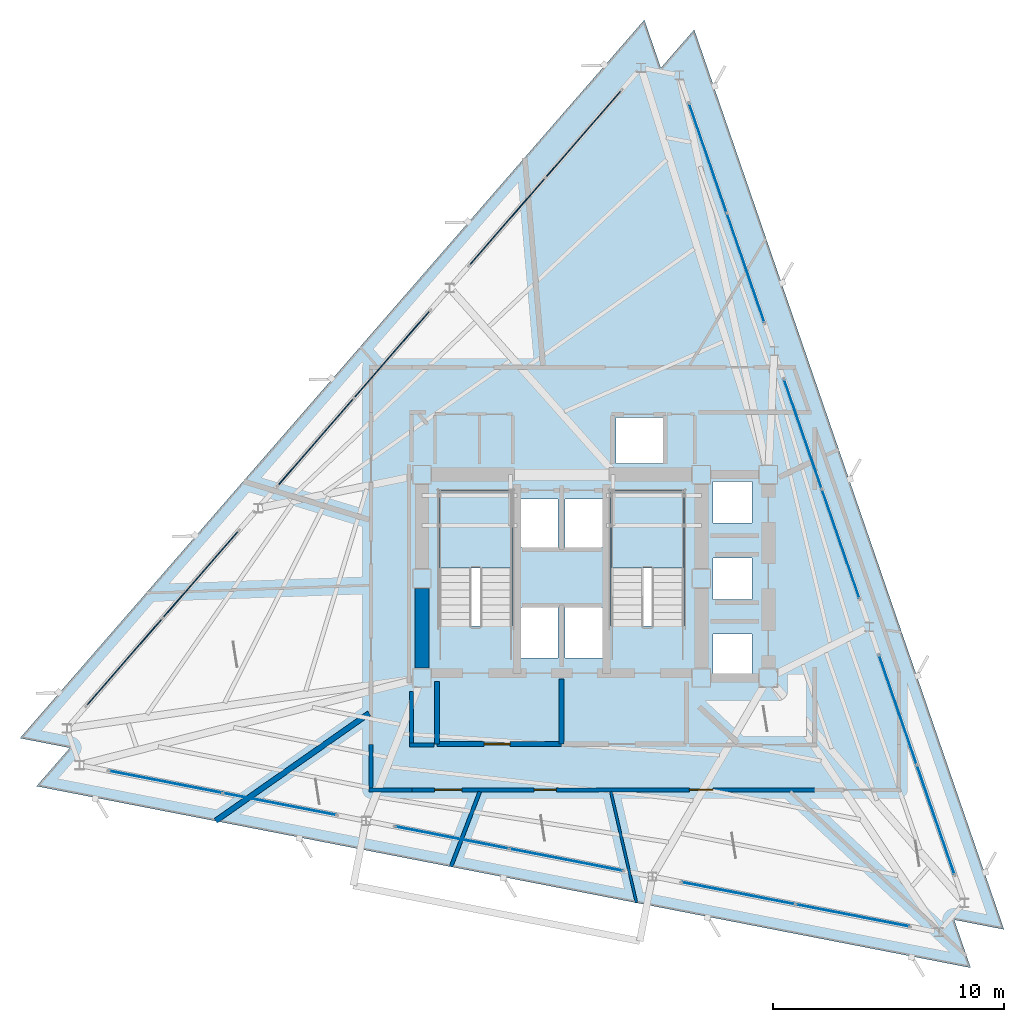
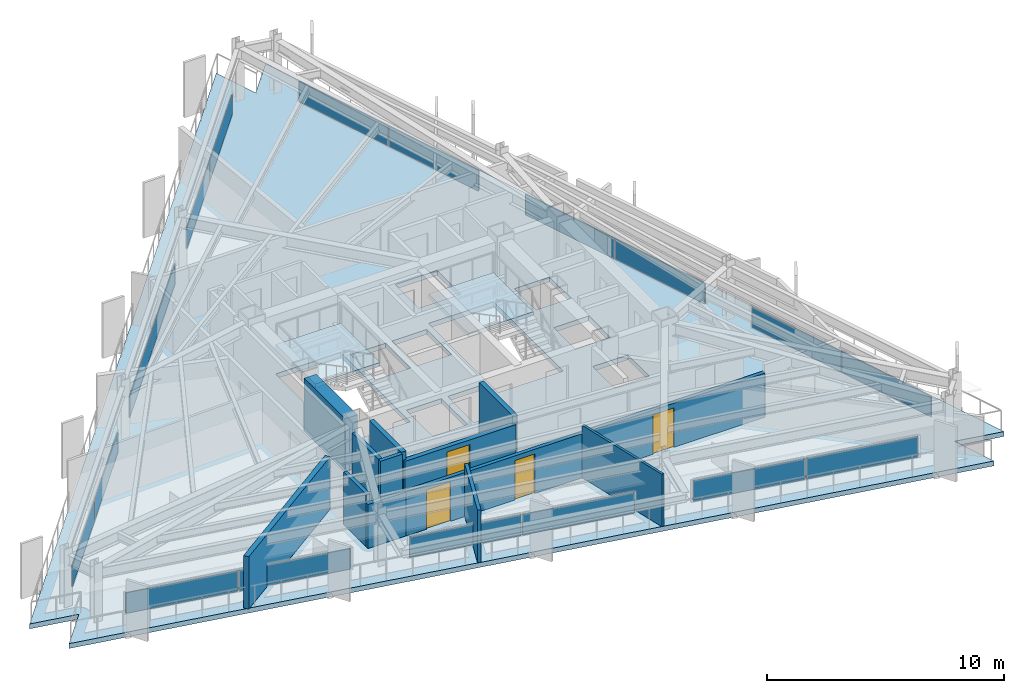
# One storey, part 8 of 14: 18 plates, 12 walls, 4 doors, 3 slabs, 4 openings, 11 elements without a shape of their own.
"""IFC4 building model written with IfcOpenShell, lengths in metres."""

from ifc_helpers import new_model, si_unit, direction, frame, frame_2d, origin, origin_2d, place, context, subcontext, project, spatial, polyline, rectangle, outline, extrude, material, layer, layer_set, type_object, element, fill, aggregate, save


model = new_model("IFC4")

# Units and contexts
model_context = context("Model", 3, precision=1e-05, world=origin(), true_north=direction((0.0, 1.0)))
body_context = subcontext(model_context, "Body", "Model", "MODEL_VIEW")
ifc_project = project(units=[si_unit("LENGTHUNIT", "METRE"), si_unit("AREAUNIT", "SQUARE_METRE"), si_unit("VOLUMEUNIT", "CUBIC_METRE"), si_unit("PLANEANGLEUNIT", "RADIAN"), si_unit("MASSUNIT", "GRAM", prefix="KILO")], contexts=[model_context])

# Site, building, storey
site_placement = place(None, origin())
site = spatial("IfcSite", under=ifc_project, at=site_placement, CompositionType="ELEMENT")
building_placement = place(site_placement, origin())
building = spatial("IfcBuilding", under=site, at=building_placement, Name="Rocaltana Carrier Exchange", CompositionType="ELEMENT")
storey_placement = place(building_placement, frame((0.0, 0.0, 168.47998046875)))
storey = spatial("IfcBuildingStorey", under=building, at=storey_placement, Name="L53", CompositionType="ELEMENT", Elevation=168.47998046875)

# Curtain wall, plates
ifc_material_1 = material(Name="Aluminium 6063-T6", Category="aluminium")
ifc_layer_1 = layer(ifc_material_1, 0.135009765625)
ifc_layer_set_1 = layer_set([ifc_layer_1], Name="Aluminium 6063-T6")
curtain_wall_type = type_object("IfcCurtainWallType", Name="Upper-Mid Acoustic Curtain Wall CW-04", PredefinedType="NOTDEFINED", material=ifc_layer_set_1)
curtain_wall_1_placement = place(storey_placement, origin())
curtain_wall_1 = element("IfcCurtainWall", 1, at=curtain_wall_1_placement, inside=storey, type_object=curtain_wall_type, Name="L53 CW-04 Run CW-L53-F1S1", PredefinedType="NOTDEFINED")
ifc_material_2 = material(Name="Tempered Laminated Glass", Category="glass")
ifc_layer_2 = layer(ifc_material_2, 0.0380859375)
ifc_layer_set_2 = layer_set([ifc_layer_2], Name="Tempered Laminated Glass")
plate_type = type_object("IfcPlateType", Name="CW-04 Stone-Insulated Vision Panel", PredefinedType="CURTAIN_PANEL", material=ifc_layer_set_2)
plate_1_placement = place(storey_placement, frame((16.197021484375, -10.4462890625, 0.06494140625), z_axis=(0.0, 0.0, 1.0), x_axis=(-0.325558788464, 0.945521800517, 0.0)))
plate_1 = element("IfcPlate", 2, at=plate_1_placement, type_object=plate_type, Name="CW-04 panel 1.1", PredefinedType="CURTAIN_PANEL", context=body_context, shape_type="SweptSolid", body=[
    extrude(rectangle(XDim=4.96923828125, YDim=0.0380859375, at=origin_2d()), origin(), (0.0, 0.0, 1.0), 1.048095703125),
])
plate_2_placement = place(storey_placement, frame((14.55810546875, -5.686279296875, 0.06494140625), z_axis=(0.0, 0.0, 1.0), x_axis=(-0.325558788464, 0.945521800517, 0.0)))
plate_2 = element("IfcPlate", 3, at=plate_2_placement, type_object=plate_type, Name="CW-04 panel 2.1", PredefinedType="CURTAIN_PANEL", context=body_context, shape_type="SweptSolid", body=[
    extrude(rectangle(XDim=4.96923828125, YDim=0.0380859375, at=origin_2d()), origin(), (0.0, 0.0, 1.0), 1.048095703125),
])
aggregate(curtain_wall_1, [plate_1, plate_2])

curtain_wall_2_placement = place(storey_placement, origin())
curtain_wall_2 = element("IfcCurtainWall", 4, at=curtain_wall_2_placement, inside=storey, type_object=curtain_wall_type, Name="L53 CW-04 Run CW-L53-F1S2", PredefinedType="NOTDEFINED")
plate_3_placement = place(storey_placement, frame((12.083984375, 1.498779296875, 0.06494140625), z_axis=(0.0, 0.0, 1.0), x_axis=(-0.32556182622, 0.945520754562, 0.0)))
plate_3 = element("IfcPlate", 5, at=plate_3_placement, type_object=plate_type, Name="CW-04 panel 1.1", PredefinedType="CURTAIN_PANEL", context=body_context, shape_type="SweptSolid", body=[
    extrude(rectangle(XDim=4.96923828125, YDim=0.0380859375, at=origin_2d()), origin(), (0.0, 0.0, 1.0), 1.048095703125),
])
plate_4_placement = place(storey_placement, frame((10.445068359375, 6.258544921875, 0.06494140625), z_axis=(0.0, 0.0, 1.0), x_axis=(-0.32556182622, 0.945520754562, 0.0)))
plate_4 = element("IfcPlate", 6, at=plate_4_placement, type_object=plate_type, Name="CW-04 panel 2.1", PredefinedType="CURTAIN_PANEL", context=body_context, shape_type="SweptSolid", body=[
    extrude(rectangle(XDim=4.96923828125, YDim=0.0380859375, at=origin_2d()), origin(), (0.0, 0.0, 1.0), 1.048095703125),
])
aggregate(curtain_wall_2, [plate_3, plate_4])

curtain_wall_3_placement = place(storey_placement, origin())
curtain_wall_3 = element("IfcCurtainWall", 7, at=curtain_wall_3_placement, inside=storey, type_object=curtain_wall_type, Name="L53 CW-04 Run CW-L53-F1S3", PredefinedType="NOTDEFINED")
plate_5_placement = place(storey_placement, frame((7.970947265625, 13.44384765625, 0.06494140625), z_axis=(0.0, 0.0, 1.0), x_axis=(-0.325558788464, 0.945521800517, 0.0)))
plate_5 = element("IfcPlate", 8, at=plate_5_placement, type_object=plate_type, Name="CW-04 panel 1.1", PredefinedType="CURTAIN_PANEL", context=body_context, shape_type="SweptSolid", body=[
    extrude(rectangle(XDim=4.96923828125, YDim=0.0380859375, at=origin_2d()), origin(), (0.0, 0.0, 1.0), 1.048095703125),
])
plate_6_placement = place(storey_placement, frame((6.33203125, 18.20361328125, 0.06494140625), z_axis=(0.0, 0.0, 1.0), x_axis=(-0.325558788464, 0.945521800517, 0.0)))
plate_6 = element("IfcPlate", 9, at=plate_6_placement, type_object=plate_type, Name="CW-04 panel 2.1", PredefinedType="CURTAIN_PANEL", context=body_context, shape_type="SweptSolid", body=[
    extrude(rectangle(XDim=4.96923828125, YDim=0.0380859375, at=origin_2d()), origin(), (0.0, 0.0, 1.0), 1.048095703125),
])
aggregate(curtain_wall_3, [plate_5, plate_6])

curtain_wall_4_placement = place(storey_placement, origin())
curtain_wall_4 = element("IfcCurtainWall", 10, at=curtain_wall_4_placement, inside=storey, type_object=curtain_wall_type, Name="L53 CW-04 Run CW-L53-F2S1", PredefinedType="NOTDEFINED")
plate_7_placement = place(storey_placement, frame((0.9482421875, 19.250244140625, 0.06494140625), z_axis=(0.0, 0.0, 1.0), x_axis=(-0.656056545375, -0.75471173919, 0.0)))
plate_7 = element("IfcPlate", 11, at=plate_7_placement, type_object=plate_type, Name="CW-04 panel 1.1", PredefinedType="CURTAIN_PANEL", context=body_context, shape_type="SweptSolid", body=[
    extrude(rectangle(XDim=4.96923828125, YDim=0.0380859375, at=origin_2d()), origin(), (0.0, 0.0, 1.0), 1.048095703125),
])
plate_8_placement = place(storey_placement, frame((-2.3544921875, 15.450927734375, 0.06494140625), z_axis=(0.0, 0.0, 1.0), x_axis=(-0.656056545375, -0.75471173919, 0.0)))
plate_8 = element("IfcPlate", 12, at=plate_8_placement, type_object=plate_type, Name="CW-04 panel 2.1", PredefinedType="CURTAIN_PANEL", context=body_context, shape_type="SweptSolid", body=[
    extrude(rectangle(XDim=4.96923828125, YDim=0.0380859375, at=origin_2d()), origin(), (0.0, 0.0, 1.0), 1.048095703125),
])
aggregate(curtain_wall_4, [plate_7, plate_8])

curtain_wall_5_placement = place(storey_placement, origin())
curtain_wall_5 = element("IfcCurtainWall", 13, at=curtain_wall_5_placement, inside=storey, type_object=curtain_wall_type, Name="L53 CW-04 Run CW-L53-F2S2", PredefinedType="NOTDEFINED")
plate_9_placement = place(storey_placement, frame((-7.33984375, 9.7158203125, 0.06494140625), z_axis=(0.0, 0.0, 1.0), x_axis=(-0.656056545375, -0.75471173919, 0.0)))
plate_9 = element("IfcPlate", 14, at=plate_9_placement, type_object=plate_type, Name="CW-04 panel 1.1", PredefinedType="CURTAIN_PANEL", context=body_context, shape_type="SweptSolid", body=[
    extrude(rectangle(XDim=4.96923828125, YDim=0.0380859375, at=origin_2d()), origin(), (0.0, 0.0, 1.0), 1.048095703125),
])
plate_10_placement = place(storey_placement, frame((-10.642578125, 5.91650390625, 0.06494140625), z_axis=(0.0, 0.0, 1.0), x_axis=(-0.656056545375, -0.75471173919, 0.0)))
plate_10 = element("IfcPlate", 15, at=plate_10_placement, type_object=plate_type, Name="CW-04 panel 2.1", PredefinedType="CURTAIN_PANEL", context=body_context, shape_type="SweptSolid", body=[
    extrude(rectangle(XDim=4.96923828125, YDim=0.0380859375, at=origin_2d()), origin(), (0.0, 0.0, 1.0), 1.048095703125),
])
aggregate(curtain_wall_5, [plate_9, plate_10])

curtain_wall_6_placement = place(storey_placement, origin())
curtain_wall_6 = element("IfcCurtainWall", 16, at=curtain_wall_6_placement, inside=storey, type_object=curtain_wall_type, Name="L53 CW-04 Run CW-L53-F2S3", PredefinedType="NOTDEFINED")
plate_11_placement = place(storey_placement, frame((-15.628173828125, 0.18115234375, 0.06494140625), z_axis=(0.0, 0.0, 1.0), x_axis=(-0.656056545375, -0.75471173919, 0.0)))
plate_11 = element("IfcPlate", 17, at=plate_11_placement, type_object=plate_type, Name="CW-04 panel 1.1", PredefinedType="CURTAIN_PANEL", context=body_context, shape_type="SweptSolid", body=[
    extrude(rectangle(XDim=4.96923828125, YDim=0.0380859375, at=origin_2d()), origin(), (0.0, 0.0, 1.0), 1.048095703125),
])
plate_12_placement = place(storey_placement, frame((-18.930908203125, -3.6181640625, 0.06494140625), z_axis=(0.0, 0.0, 1.0), x_axis=(-0.656056545375, -0.75471173919, 0.0)))
plate_12 = element("IfcPlate", 18, at=plate_12_placement, type_object=plate_type, Name="CW-04 panel 2.1", PredefinedType="CURTAIN_PANEL", context=body_context, shape_type="SweptSolid", body=[
    extrude(rectangle(XDim=4.96923828125, YDim=0.0380859375, at=origin_2d()), origin(), (0.0, 0.0, 1.0), 1.048095703125),
])
aggregate(curtain_wall_6, [plate_11, plate_12])

curtain_wall_7_placement = place(storey_placement, origin())
curtain_wall_7 = element("IfcCurtainWall", 19, at=curtain_wall_7_placement, inside=storey, type_object=curtain_wall_type, Name="L53 CW-04 Run CW-L53-F3S1", PredefinedType="NOTDEFINED")
plate_13_placement = place(storey_placement, frame((-17.145263671875, -8.803955078125, 0.06494140625), z_axis=(0.0, 0.0, 1.0), x_axis=(0.981628278569, -0.190803361378, 0.0)))
plate_13 = element("IfcPlate", 20, at=plate_13_placement, type_object=plate_type, Name="CW-04 panel 1.1", PredefinedType="CURTAIN_PANEL", context=body_context, shape_type="SweptSolid", body=[
    extrude(rectangle(XDim=4.96923828125, YDim=0.0380859375, at=origin_2d()), origin(), (0.0, 0.0, 1.0), 1.048095703125),
])
plate_14_placement = place(storey_placement, frame((-12.20361328125, -9.764404296875, 0.06494140625), z_axis=(0.0, 0.0, 1.0), x_axis=(0.981628278569, -0.190803361378, 0.0)))
plate_14 = element("IfcPlate", 21, at=plate_14_placement, type_object=plate_type, Name="CW-04 panel 2.1", PredefinedType="CURTAIN_PANEL", context=body_context, shape_type="SweptSolid", body=[
    extrude(rectangle(XDim=4.96923828125, YDim=0.0380859375, at=origin_2d()), origin(), (0.0, 0.0, 1.0), 1.048095703125),
])
aggregate(curtain_wall_7, [plate_13, plate_14])

curtain_wall_8_placement = place(storey_placement, origin())
curtain_wall_8 = element("IfcCurtainWall", 22, at=curtain_wall_8_placement, inside=storey, type_object=curtain_wall_type, Name="L53 CW-04 Run CW-L53-F3S2", PredefinedType="NOTDEFINED")
plate_15_placement = place(storey_placement, frame((-4.744140625, -11.21435546875, 0.06494140625), z_axis=(0.0, 0.0, 1.0), x_axis=(0.981626070913, -0.190814718784, 0.0)))
plate_15 = element("IfcPlate", 23, at=plate_15_placement, type_object=plate_type, Name="CW-04 panel 1.1", PredefinedType="CURTAIN_PANEL", context=body_context, shape_type="SweptSolid", body=[
    extrude(rectangle(XDim=4.96923828125, YDim=0.0380859375, at=origin_2d()), origin(), (0.0, 0.0, 1.0), 1.048095703125),
])
plate_16_placement = place(storey_placement, frame((0.19775390625, -12.175048828125, 0.06494140625), z_axis=(0.0, 0.0, 1.0), x_axis=(0.981626070913, -0.190814718784, 0.0)))
plate_16 = element("IfcPlate", 24, at=plate_16_placement, type_object=plate_type, Name="CW-04 panel 2.1", PredefinedType="CURTAIN_PANEL", context=body_context, shape_type="SweptSolid", body=[
    extrude(rectangle(XDim=4.96923828125, YDim=0.0380859375, at=origin_2d()), origin(), (0.0, 0.0, 1.0), 1.048095703125),
])
aggregate(curtain_wall_8, [plate_15, plate_16])

curtain_wall_9_placement = place(storey_placement, origin())
curtain_wall_9 = element("IfcCurtainWall", 25, at=curtain_wall_9_placement, inside=storey, type_object=curtain_wall_type, Name="L53 CW-04 Run CW-L53-F3S3", PredefinedType="NOTDEFINED")
plate_17_placement = place(storey_placement, frame((7.6572265625, -13.625, 0.06494140625), z_axis=(0.0, 0.0, 1.0), x_axis=(0.981627919301, -0.190805209699, 0.0)))
plate_17 = element("IfcPlate", 26, at=plate_17_placement, type_object=plate_type, Name="CW-04 panel 1.1", PredefinedType="CURTAIN_PANEL", context=body_context, shape_type="SweptSolid", body=[
    extrude(rectangle(XDim=4.96923828125, YDim=0.0380859375, at=origin_2d()), origin(), (0.0, 0.0, 1.0), 1.048095703125),
])
plate_18_placement = place(storey_placement, frame((12.598876953125, -14.58544921875, 0.06494140625), z_axis=(0.0, 0.0, 1.0), x_axis=(0.981627919301, -0.190805209699, 0.0)))
plate_18 = element("IfcPlate", 27, at=plate_18_placement, type_object=plate_type, Name="CW-04 panel 2.1", PredefinedType="CURTAIN_PANEL", context=body_context, shape_type="SweptSolid", body=[
    extrude(rectangle(XDim=4.96923828125, YDim=0.0380859375, at=origin_2d()), origin(), (0.0, 0.0, 1.0), 1.048095703125),
])
aggregate(curtain_wall_9, [plate_17, plate_18])

# Slab
ifc_material_3 = material(Name="Concrete C50/60", Category="concrete")
ifc_layer_3 = layer(ifc_material_3, 0.25)
ifc_layer_set_3 = layer_set([ifc_layer_3], Name="Concrete C50/60")
slab_type_1 = type_object("IfcSlabType", Name="Mid-Zone Tower Slab 250", PredefinedType="FLOOR", material=ifc_layer_set_3)
slab_1_placement = place(storey_placement, frame((0.0, 0.0, -0.25)))
element("IfcSlab", 28, at=slab_1_placement, inside=storey, type_object=slab_type_1, Name="L53 Structural Floor Slab", PredefinedType="FLOOR", context=body_context, shape_type="SweptSolid", body=[
    extrude(outline(polyline([(17.709716796875, -16.852294921875), (16.993408203125, -14.772216796875), (19.153076171875, -15.19189453125), (5.73974609375, 23.76318359375), (4.29638671875, 22.10302734375), (3.580078125, 24.18310546875), (-23.449462890625, -6.910888671875), (-21.289794921875, -7.330810546875), (-22.7333984375, -8.9912109375), (17.709716796875, -16.852294921875)]), holes=[polyline([(-5.300048828125, -2.06005859375), (-2.139892578125, -2.06005859375), (-2.139892578125, 3.800048828125), (-5.300048828125, 3.800048828125), (-5.300048828125, -2.06005859375)]), polyline([(2.139892578125, -2.06005859375), (5.300048828125, -2.06005859375), (5.300048828125, 3.800048828125), (2.139892578125, 3.800048828125), (2.139892578125, -2.06005859375)]), polyline([(-1.85009765625, -3.449951171875), (-0.14990234375, -3.449951171875), (-0.14990234375, -1.25), (-1.85009765625, -1.25), (-1.85009765625, -3.449951171875)]), polyline([(0.14990234375, -3.449951171875), (1.85009765625, -3.449951171875), (1.85009765625, -1.25), (0.14990234375, -1.25), (0.14990234375, -3.449951171875)]), polyline([(2.35009765625, 4.97998046875), (4.39990234375, 4.97998046875), (4.39990234375, 6.97998046875), (2.35009765625, 6.97998046875), (2.35009765625, 4.97998046875)]), polyline([(-1.85009765625, 1.35009765625), (-0.14990234375, 1.35009765625), (-0.14990234375, 3.449951171875), (-1.85009765625, 3.449951171875), (-1.85009765625, 1.35009765625)]), polyline([(0.14990234375, 1.35009765625), (1.85009765625, 1.35009765625), (1.85009765625, 3.449951171875), (0.14990234375, 3.449951171875), (0.14990234375, 1.35009765625)]), polyline([(6.550048828125, -4.199951171875), (8.25, -4.199951171875), (8.25, -2.39990234375), (6.550048828125, -2.39990234375), (6.550048828125, -4.199951171875)]), polyline([(6.550048828125, -0.89990234375), (8.25, -0.89990234375), (8.25, 0.89990234375), (6.550048828125, 0.89990234375), (6.550048828125, -0.89990234375)]), polyline([(6.550048828125, 2.39990234375), (8.25, 2.39990234375), (8.25, 4.199951171875), (6.550048828125, 4.199951171875), (6.550048828125, 2.39990234375)])]), origin(), (0.0, 0.0, 1.0), 0.25),
])

# Stair, slab
ifc_material_4 = material(Name="Precast concrete C45/55", Category="concrete")
stair_type = type_object("IfcStairType", Name="Standard Dog-Leg Stair 160", PredefinedType="HALF_TURN_STAIR", material=ifc_material_4)
stair_1_placement = place(storey_placement, origin())
stair_1 = element("IfcStair", 29, at=stair_1_placement, inside=storey, type_object=stair_type, Name="L53 Core West Exit Stair ST-1", PredefinedType="HALF_TURN_STAIR")
ifc_material_5 = material(Name="Precast concrete C45/55", Category="concrete")
ifc_layer_4 = layer(ifc_material_5, 0.199951171875)
ifc_layer_set_4 = layer_set([ifc_layer_4], Name="Precast concrete C45/55")
slab_type_2 = type_object("IfcSlabType", Name="Precast Stair Half-Landing 200", PredefinedType="LANDING", material=ifc_layer_set_4)
slab_2_placement = place(storey_placement, frame((0.0, 0.0, 1.320068359375)))
slab_2 = element("IfcSlab", 30, at=slab_2_placement, type_object=slab_type_2, Name="ST-1 landing 1", PredefinedType="LANDING", context=body_context, shape_type="SweptSolid", body=[
    extrude(outline(polyline([(-2.139892578125, 0.4599609375), (-2.139892578125, 3.800048828125), (-5.300048828125, 3.800048828125), (-5.300048828125, 0.4599609375), (-2.139892578125, 0.4599609375)])), origin(), (0.0, 0.0, 1.0), 0.199951171875),
])
aggregate(stair_1, [slab_2])

stair_2_placement = place(storey_placement, origin())
stair_2 = element("IfcStair", 31, at=stair_2_placement, inside=storey, type_object=stair_type, Name="L53 Core East Exit Stair ST-2", PredefinedType="HALF_TURN_STAIR")
slab_3_placement = place(storey_placement, frame((0.0, 0.0, 1.320068359375)))
slab_3 = element("IfcSlab", 32, at=slab_3_placement, type_object=slab_type_2, Name="ST-2 landing 1", PredefinedType="LANDING", context=body_context, shape_type="SweptSolid", body=[
    extrude(outline(polyline([(5.300048828125, 0.4599609375), (5.300048828125, 3.800048828125), (2.139892578125, 3.800048828125), (2.139892578125, 0.4599609375), (5.300048828125, 0.4599609375)])), origin(), (0.0, 0.0, 1.0), 0.199951171875),
])
aggregate(stair_2, [slab_3])

# Walls
ifc_material_6 = material(Name="Double Acoustic Gypsum Partition", Category="gypsum")
ifc_layer_5 = layer(ifc_material_6, 0.159912109375)
ifc_layer_set_5 = layer_set([ifc_layer_5], Name="Double Acoustic Gypsum Partition")
wall_type_1 = type_object("IfcWallType", Name="Acoustic Studio Partition 160 EI60", PredefinedType="PARTITIONING", material=ifc_layer_set_5)
wall_1_placement = place(storey_placement, frame((-3.543212890625, -9.22998046875, 0.0), z_axis=(0.0, 0.0, 1.0), x_axis=(-0.358337785815, -0.933592004709, 0.0)))
element("IfcWall", 33, at=wall_1_placement, inside=storey, type_object=wall_type_1, Name="L53 Suite Divider Wall D3", PredefinedType="PARTITIONING", context=body_context, shape_type="SweptSolid", body=[
    extrude(rectangle(XDim=3.469970703125, YDim=0.159912109375, at=frame_2d((1.73486328125, 0.0))), origin(), (0.0, 0.0, 1.0), 2.693115234375),
])
ifc_material_7 = material(Name="Concrete C50/60", Category="concrete")
ifc_layer_6 = layer(ifc_material_7, 0.60009765625)
ifc_layer_set_6 = layer_set([ifc_layer_6], Name="Concrete C50/60")
wall_type_2 = type_object("IfcWallType", Name="Core Shear Wall 600", PredefinedType="SHEAR", material=ifc_layer_set_6)
wall_2_placement = place(storey_placement, frame((-6.050048828125, -3.875, 0.0), z_axis=(0.0, 0.0, 1.0), x_axis=(0.0, 1.0, 0.0)))
element("IfcWall", 34, at=wall_2_placement, inside=storey, type_object=wall_type_2, Name="L53 Core Shear Wall CW-WS", PredefinedType="SHEAR", context=body_context, shape_type="SweptSolid", body=[
    extrude(rectangle(XDim=3.449951171875, YDim=0.60009765625, at=frame_2d((1.72509765625, 0.0))), origin(), (0.0, 0.0, 1.0), 2.718017578125),
])
ifc_material_8 = material(Name="Gypsum & Steel Stud Partition", Category="steel")
ifc_layer_7 = layer(ifc_material_8, 0.179931640625)
ifc_layer_set_7 = layer_set([ifc_layer_7], Name="Gypsum & Steel Stud Partition")
wall_type_3 = type_object("IfcWallType", Name="Corridor Fire Partition 180 EI60", PredefinedType="PARTITIONING", material=ifc_layer_set_7)
wall_3_placement = place(storey_placement, frame((-6.47998046875, -9.14990234375, 0.0), z_axis=(0.0, 0.0, 1.0), x_axis=(-1.0, 0.0, 0.0)))
element("IfcWall", 35, at=wall_3_placement, inside=storey, type_object=wall_type_3, Name="L53 Corridor Partition 1", PredefinedType="PARTITIONING", context=body_context, shape_type="SweptSolid", body=[
    extrude(rectangle(XDim=1.860107421875, YDim=0.179931640625, at=frame_2d((0.93017578125, 0.0))), origin(), (0.0, 0.0, 1.0), 2.260009765625),
])
wall_4_placement = place(storey_placement, frame((-8.25, -9.06005859375, 0.0), z_axis=(0.0, 0.0, 1.0), x_axis=(0.0, 1.0, 0.0)))
element("IfcWall", 36, at=wall_4_placement, inside=storey, type_object=wall_type_3, Name="L53 Corridor Partition 2", PredefinedType="PARTITIONING", context=body_context, shape_type="SweptSolid", body=[
    extrude(rectangle(XDim=1.880126953125, YDim=0.179931640625, at=frame_2d((0.93994140625, 0.0))), origin(), (0.0, 0.0, 1.0), 2.693115234375),
])
wall_5_placement = place(storey_placement, frame((-6.5, -4.8798828125, 0.0), z_axis=(0.0, 0.0, 1.0), x_axis=(0.0, -1.0, 0.0)))
element("IfcWall", 37, at=wall_5_placement, inside=storey, type_object=wall_type_3, Name="L53 Corridor Partition 12", PredefinedType="PARTITIONING", context=body_context, shape_type="SweptSolid", body=[
    extrude(rectangle(XDim=2.230224609375, YDim=0.179931640625, at=frame_2d((1.115234375, 0.0))), origin(), (0.0, 0.0, 1.0), 2.693115234375),
])
wall_6_placement = place(storey_placement, frame((-6.590087890625, -7.199951171875, 0.0), z_axis=(0.0, 0.0, 1.0), x_axis=(1.0, 0.0, 0.0)))
element("IfcWall", 38, at=wall_6_placement, inside=storey, type_object=wall_type_3, Name="L53 Corridor Partition 13", PredefinedType="PARTITIONING", context=body_context, shape_type="SweptSolid", body=[
    extrude(rectangle(XDim=1.06005859375, YDim=0.179931640625, at=frame_2d((0.530029296875, 0.0))), origin(), (0.0, 0.0, 1.0), 2.693115234375),
])

# Wall, openings, doors
wall_7_placement = place(storey_placement, frame((10.97998046875, -9.14990234375, 0.0), z_axis=(0.0, 0.0, 1.0), x_axis=(-1.0, 0.0, 0.0)))
wall_7 = element("IfcWall", 39, at=wall_7_placement, inside=storey, type_object=wall_type_3, Name="L53 Corridor Partition 21", PredefinedType="PARTITIONING", context=body_context, shape_type="SweptSolid", body=[
    extrude(rectangle(XDim=17.5, YDim=0.179931640625, at=frame_2d((8.75, 0.0))), origin(), (0.0, 0.0, 1.0), 2.260009765625),
])
opening_1_placement = place(wall_7_placement, frame((15.294189453125, 0.0, 0.0)))
opening_1 = element("IfcOpeningElement", 40, at=opening_1_placement, cuts=wall_7, Name="Opening D-SU120", PredefinedType="OPENING", context=body_context, shape_type="SweptSolid", body=[
    extrude(rectangle(XDim=1.179931640625, YDim=2.02001953125, at=frame_2d((0.58984375, 1.010009765625))), frame((0.0, 0.099853515625, 0.0), z_axis=(0.0, -1.0, 0.0), x_axis=(1.0, 0.0, 0.0)), (0.0, 0.0, 1.0), 0.199951171875),
])
opening_2_placement = place(wall_7_placement, frame((11.2060546875, 0.0, 0.0)))
opening_2 = element("IfcOpeningElement", 41, at=opening_2_placement, cuts=wall_7, Name="Opening D-RM098", PredefinedType="OPENING", context=body_context, shape_type="SweptSolid", body=[
    extrude(rectangle(XDim=0.9599609375, YDim=2.02001953125, at=frame_2d((0.47998046875, 1.010009765625))), frame((0.0, 0.099853515625, 0.0), z_axis=(0.0, -1.0, 0.0), x_axis=(1.0, 0.0, 0.0)), (0.0, 0.0, 1.0), 0.199951171875),
])
opening_3_placement = place(wall_7_placement, frame((4.4296875, 0.0, 0.0)))
opening_3 = element("IfcOpeningElement", 42, at=opening_3_placement, cuts=wall_7, Name="Opening D-LB104", PredefinedType="OPENING", context=body_context, shape_type="SweptSolid", body=[
    extrude(rectangle(XDim=1.02001953125, YDim=2.02001953125, at=frame_2d((0.510009765625, 1.010009765625))), frame((0.0, 0.099853515625, 0.0), z_axis=(0.0, -1.0, 0.0), x_axis=(1.0, 0.0, 0.0)), (0.0, 0.0, 1.0), 0.199951171875),
])
ifc_material_9 = material(Name="Powder-Coated Aluminium 6063-T6", Category="aluminium")
door_type_1 = type_object("IfcDoorType", Name="Laboratory Acoustic Door 1020x2020", OperationType="NOTDEFINED", PredefinedType="DOOR", material=ifc_material_9)
door_1_placement = place(opening_3_placement, origin())
door_1 = element("IfcDoor", 43, at=door_1_placement, inside=storey, type_object=door_type_1, Name="L53 Optical Switching Laboratory Entrance Door", OperationType="SINGLE_SWING_RIGHT", OverallHeight=2.02001953125, OverallWidth=1.02001953125, PredefinedType="DOOR", context=body_context, shape_type="SweptSolid", body=[
    extrude(rectangle(XDim=1.02001953125, YDim=2.02001953125, at=frame_2d((0.510009765625, 1.010009765625))), frame((0.0, 0.02490234375, 0.0), z_axis=(0.0, -1.0, 0.0), x_axis=(1.0, 0.0, 0.0)), (0.0, 0.0, 1.0), 0.050048828125),
])
fill(opening_3, door_1)
ifc_material_10 = material(Name="Engineered Hardwood Timber", Category="wood")
door_type_2 = type_object("IfcDoorType", Name="Suite Double Entrance Door 1180x2020", OperationType="NOTDEFINED", PredefinedType="DOOR", material=ifc_material_10)
door_2_placement = place(opening_1_placement, origin())
door_2 = element("IfcDoor", 44, at=door_2_placement, inside=storey, type_object=door_type_2, Name="L53 Carrier Peering Suite Entrance Door", OperationType="SINGLE_SWING_RIGHT", OverallHeight=2.02001953125, OverallWidth=1.179931640625, PredefinedType="DOOR", context=body_context, shape_type="SweptSolid", body=[
    extrude(rectangle(XDim=1.179931640625, YDim=2.02001953125, at=frame_2d((0.58984375, 1.010009765625))), frame((0.0, 0.02490234375, 0.0), z_axis=(0.0, -1.0, 0.0), x_axis=(1.0, 0.0, 0.0)), (0.0, 0.0, 1.0), 0.050048828125),
])
fill(opening_1, door_2)
ifc_material_11 = material(Name="Engineered Hardwood Timber", Category="wood")
door_type_3 = type_object("IfcDoorType", Name="Workspace Single Door 960x2020", OperationType="NOTDEFINED", PredefinedType="DOOR", material=ifc_material_11)
door_3_placement = place(opening_2_placement, origin())
door_3 = element("IfcDoor", 45, at=door_3_placement, inside=storey, type_object=door_type_3, Name="L53 Cloud Architecture Office Entrance Door", OperationType="SINGLE_SWING_LEFT", OverallHeight=2.02001953125, OverallWidth=0.9599609375, PredefinedType="DOOR", context=body_context, shape_type="SweptSolid", body=[
    extrude(rectangle(XDim=0.9599609375, YDim=2.02001953125, at=frame_2d((0.47998046875, 1.010009765625))), frame((0.0, 0.02490234375, 0.0), z_axis=(0.0, -1.0, 0.0), x_axis=(1.0, 0.0, 0.0)), (0.0, 0.0, 1.0), 0.050048828125),
])
fill(opening_2, door_3)

# Walls
ifc_material_12 = material(Name="Aluminium 6063-T6 & Acoustic Glass", Category="aluminium")
ifc_layer_8 = layer(ifc_material_12, 0.114990234375)
ifc_layer_set_8 = layer_set([ifc_layer_8], Name="Aluminium 6063-T6 & Acoustic Glass")
wall_type_4 = type_object("IfcWallType", Name="Demountable Glazed Lab Partition 115", PredefinedType="MOVABLE", material=ifc_layer_set_8)
wall_8_placement = place(storey_placement, frame((2.130859375, -9.22998046875, 0.0), z_axis=(0.0, 0.0, 1.0), x_axis=(0.224978964049, -0.974363620901, 0.0)))
element("IfcWall", 46, at=wall_8_placement, inside=storey, type_object=wall_type_4, Name="L53 Suite Divider Wall D4", PredefinedType="MOVABLE", context=body_context, shape_type="SweptSolid", body=[
    extrude(rectangle(XDim=4.925537109375, YDim=0.114990234375, at=frame_2d((2.462890625, 0.0))), origin(), (0.0, 0.0, 1.0), 2.693115234375),
])
ifc_material_13 = material(Name="Autoclaved Aerated Concrete C30/37", Category="concrete")
ifc_layer_9 = layer(ifc_material_13, 0.219970703125)
ifc_layer_set_9 = layer_set([ifc_layer_9], Name="Autoclaved Aerated Concrete C30/37")
wall_type_5 = type_object("IfcWallType", Name="Firefighting Lobby Wall 220 EI120", PredefinedType="PARTITIONING", material=ifc_layer_set_9)
wall_9_placement = place(storey_placement, frame((-5.39990234375, -7.159912109375, 0.0), z_axis=(0.0, 0.0, 1.0), x_axis=(0.0, 1.0, 0.0)))
element("IfcWall", 47, at=wall_9_placement, inside=storey, type_object=wall_type_5, Name="L53 FFL Lobby 1 West Wall", PredefinedType="PARTITIONING", context=body_context, shape_type="SweptSolid", body=[
    extrude(rectangle(XDim=2.7099609375, YDim=0.219970703125, at=frame_2d((1.35498046875, 0.0))), origin(), (0.0, 0.0, 1.0), 2.693115234375),
])
wall_10_placement = place(storey_placement, frame((0.0, -7.159912109375, 0.0), z_axis=(0.0, 0.0, 1.0), x_axis=(0.0, 1.0, 0.0)))
element("IfcWall", 48, at=wall_10_placement, inside=storey, type_object=wall_type_5, Name="L53 FFL Lobby Centre Wall", PredefinedType="PARTITIONING", context=body_context, shape_type="SweptSolid", body=[
    extrude(rectangle(XDim=2.809814453125, YDim=0.219970703125, at=frame_2d((1.40478515625, 0.0))), origin(), (0.0, 0.0, 1.0), 2.693115234375),
])

# Wall, opening, door
wall_11_placement = place(storey_placement, frame((-5.39990234375, -7.159912109375, 0.0), z_axis=(0.0, 0.0, 1.0), x_axis=(1.0, 0.0, 0.0)))
wall_11 = element("IfcWall", 49, at=wall_11_placement, inside=storey, type_object=wall_type_5, Name="L53 FFL Lobby 1 South Wall", PredefinedType="PARTITIONING", context=body_context, shape_type="SweptSolid", body=[
    extrude(rectangle(XDim=5.39990234375, YDim=0.219970703125, at=frame_2d((2.699951171875, 0.0))), origin(), (0.0, 0.0, 1.0), 2.260009765625),
])
opening_4_placement = place(wall_11_placement, frame((2.050048828125, 0.0, 0.0)))
opening_4 = element("IfcOpeningElement", 50, at=opening_4_placement, cuts=wall_11, Name="Opening D-FF115", PredefinedType="OPENING", context=body_context, shape_type="SweptSolid", body=[
    extrude(rectangle(XDim=1.1201171875, YDim=2.02001953125, at=frame_2d((0.56005859375, 1.010009765625))), frame((0.0, 0.119873046875, 0.0), z_axis=(0.0, -1.0, 0.0), x_axis=(1.0, 0.0, 0.0)), (0.0, 0.0, 1.0), 0.239990234375),
])
ifc_material_14 = material(Name="Hollow Metal Fire Door Assembly", Category="steel")
door_type_4 = type_object("IfcDoorType", Name="Firefighting Lobby Door 1120x2020 FD60S", OperationType="NOTDEFINED", PredefinedType="DOOR", material=ifc_material_14)
door_4_placement = place(opening_4_placement, origin())
door_4 = element("IfcDoor", 51, at=door_4_placement, inside=storey, type_object=door_type_4, Name="L53 Firefighting Lift Lobby 1 Door", OperationType="SINGLE_SWING_RIGHT", OverallHeight=2.02001953125, OverallWidth=1.1201171875, PredefinedType="DOOR", context=body_context, shape_type="SweptSolid", body=[
    extrude(rectangle(XDim=1.1201171875, YDim=2.02001953125, at=frame_2d((0.56005859375, 1.010009765625))), frame((0.0, 0.02490234375, 0.0), z_axis=(0.0, -1.0, 0.0), x_axis=(1.0, 0.0, 0.0)), (0.0, 0.0, 1.0), 0.050048828125),
])
fill(opening_4, door_4)

# Wall
ifc_material_15 = material(Name="Acoustic Calcium Silicate Partition", Category="gypsum")
ifc_layer_10 = layer(ifc_material_15, 0.239990234375)
ifc_layer_set_10 = layer_set([ifc_layer_10], Name="Acoustic Calcium Silicate Partition")
wall_type_6 = type_object("IfcWallType", Name="Heavy Lab Partition 240 EI90", PredefinedType="PARTITIONING", material=ifc_layer_set_10)
wall_12_placement = place(storey_placement, frame((-8.330078125, -5.832763671875, 0.0), z_axis=(0.0, 0.0, 1.0), x_axis=(-0.819148537799, -0.573581444105, 0.0)))
element("IfcWall", 52, at=wall_12_placement, inside=storey, type_object=wall_type_6, Name="L53 Suite Divider Wall D2", PredefinedType="PARTITIONING", context=body_context, shape_type="SweptSolid", body=[
    extrude(rectangle(XDim=8.116455078125, YDim=0.239990234375, at=frame_2d((4.05810546875, 0.0))), origin(), (0.0, 0.0, 1.0), 2.693115234375),
])

save(model, "model.ifc")
